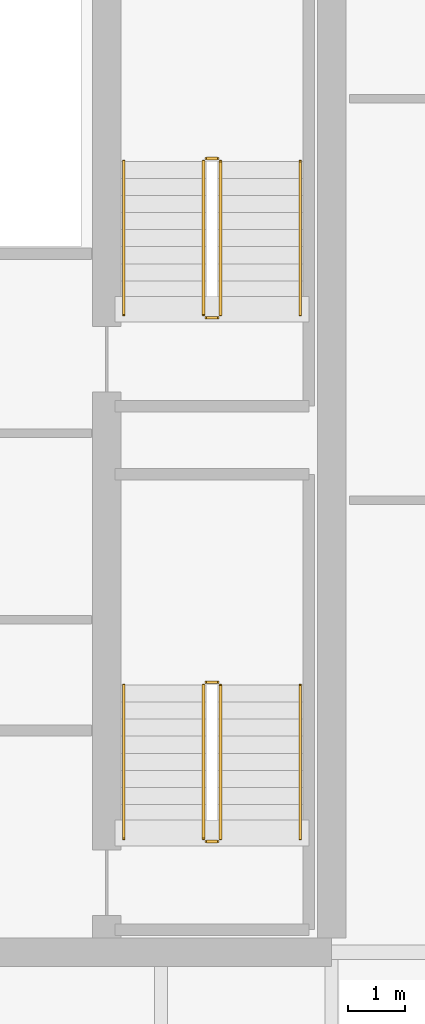
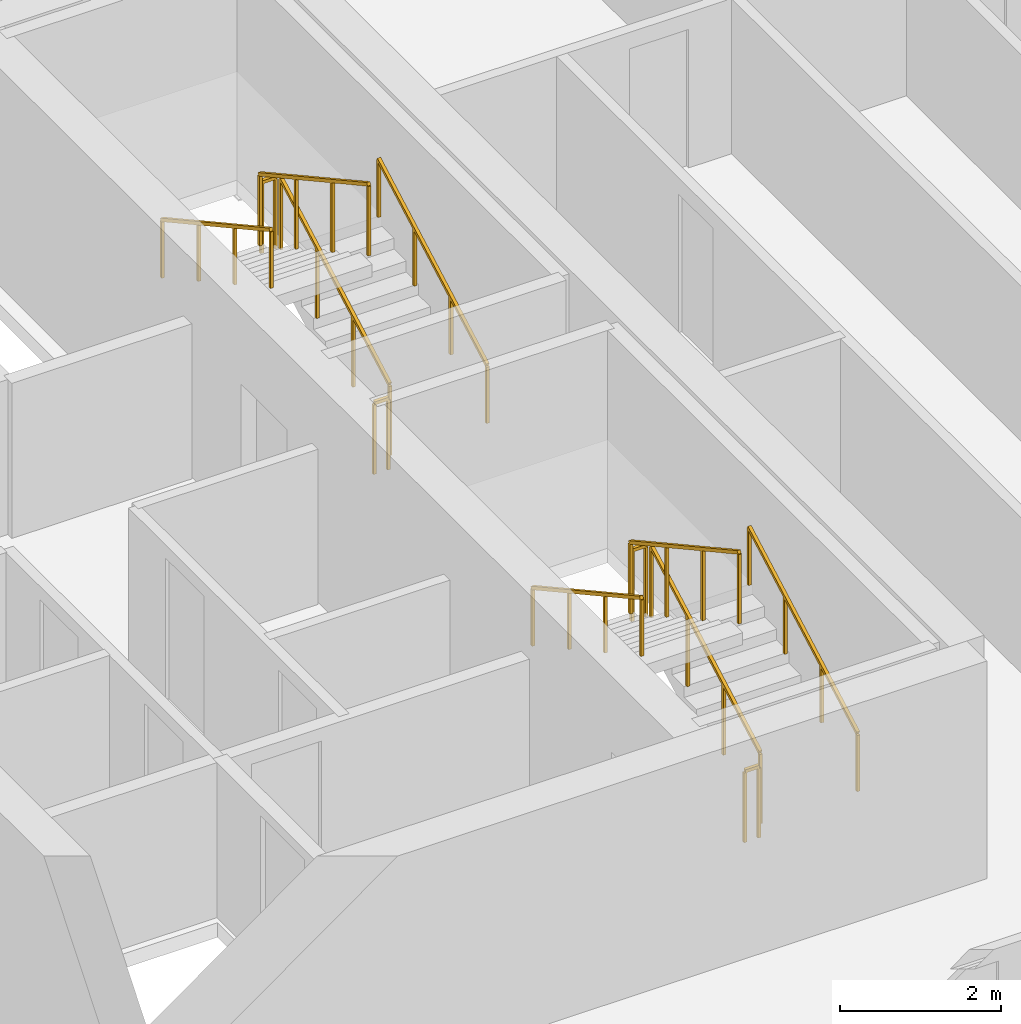
# One storey, part 22 of 23: 12 railings.
"""IFC4 building model written with IfcOpenShell, lengths in metres."""

from ifc_helpers import new_model, si_unit, direction, frame, origin, place, context, subcontext, project, spatial, rectangle, extrude, material, type_object, element, save


model = new_model("IFC4")

# Units and contexts
model_context = context("Model", 3, precision=1e-05, world=origin(), true_north=direction((0.0, 1.0)))
body_context = subcontext(model_context, "Body", "Model", "MODEL_VIEW")
ifc_project = project(units=[si_unit("LENGTHUNIT", "METRE"), si_unit("AREAUNIT", "SQUARE_METRE"), si_unit("VOLUMEUNIT", "CUBIC_METRE"), si_unit("PLANEANGLEUNIT", "RADIAN"), si_unit("MASSUNIT", "GRAM", prefix="KILO")], contexts=[model_context])

# Site, building, storey
site_placement = place(None, origin())
site = spatial("IfcSite", under=ifc_project, at=site_placement, CompositionType="ELEMENT")
building_placement = place(site_placement, origin())
building = spatial("IfcBuilding", under=site, at=building_placement, Name="Tanjung Sevakor Pilgrim Tower", CompositionType="ELEMENT")
storey_placement = place(building_placement, frame((0.0, 0.0, 98.669921875)))
storey = spatial("IfcBuildingStorey", under=building, at=storey_placement, Name="L27", CompositionType="ELEMENT", Elevation=98.669921875)

# Railings
ifc_material_1 = material(Name="Steel S355J2", Category="steel")
railing_type_1 = type_object("IfcRailingType", Name="RL-STAIR-GUARD", PredefinedType="GUARDRAIL", material=ifc_material_1)
railing_1_placement = place(storey_placement, frame((88.050048828125, 26.60009765625, 0.1650390625)))
element("IfcRailing", 1, at=railing_1_placement, inside=storey, type_object=railing_type_1, Name="L27 TS-E1 stair guard 1", PredefinedType="GUARDRAIL", context=body_context, shape_type="SweptSolid", body=[
    extrude(rectangle(XDim=0.0479, YDim=0.0479), frame((0.0, 0.0, 1.076171875), z_axis=(0.0, 0.876197507361, 0.481952205197), x_axis=(-1.0, 0.0, 0.0)), (0.0, 0.0, 1.0), 3.08154296875),
    extrude(rectangle(XDim=0.042, YDim=0.042), origin(), (0.0, 0.0, 1.0), 1.052001953125),
    extrude(rectangle(XDim=0.042, YDim=0.042), frame((0.0, 0.89990234375, 0.4951171875)), (0.0, 0.0, 1.0), 1.052001953125),
    extrude(rectangle(XDim=0.042, YDim=0.042), frame((0.0, 1.800048828125, 0.989990234375)), (0.0, 0.0, 1.0), 1.052001953125),
    extrude(rectangle(XDim=0.042, YDim=0.042), frame((0.0, 2.699951171875, 1.485107421875)), (0.0, 0.0, 1.0), 1.052001953125),
])
railing_2_placement = place(storey_placement, frame((88.0, 29.35009765625, 1.650146484375)))
element("IfcRailing", 2, at=railing_2_placement, inside=storey, type_object=railing_type_1, Name="L27 TS-E1 stair guard 2", PredefinedType="GUARDRAIL", context=body_context, shape_type="SweptSolid", body=[
    extrude(rectangle(XDim=0.0479, YDim=0.0479), frame((0.0, 0.0, 1.076171875), z_axis=(-1.0, 0.0, 0.0), x_axis=(0.0, -1.0, 0.0)), (0.0, 0.0, 1.0), 0.199951171875),
    extrude(rectangle(XDim=0.042, YDim=0.042), origin(), (0.0, 0.0, 1.0), 1.052001953125),
    extrude(rectangle(XDim=0.042, YDim=0.042), frame((-0.199951171875, 0.0, 0.0)), (0.0, 0.0, 1.0), 1.052001953125),
])
railing_3_placement = place(storey_placement, frame((87.75, 29.300048828125, 1.815185546875)))
element("IfcRailing", 3, at=railing_3_placement, inside=storey, type_object=railing_type_1, Name="L27 TS-E1 stair guard 3", PredefinedType="GUARDRAIL", context=body_context, shape_type="SweptSolid", body=[
    extrude(rectangle(XDim=0.0479, YDim=0.0479), frame((0.0, 0.0, 1.076171875), z_axis=(0.0, -0.876230963923, 0.481891375584), x_axis=(1.0, 0.0, 0.0)), (0.0, 0.0, 1.0), 3.081298828125),
    extrude(rectangle(XDim=0.042, YDim=0.042), origin(), (0.0, 0.0, 1.0), 1.052001953125),
    extrude(rectangle(XDim=0.042, YDim=0.042), frame((0.0, -0.89990234375, 0.494873046875)), (0.0, 0.0, 1.0), 1.052001953125),
    extrude(rectangle(XDim=0.042, YDim=0.042), frame((0.0, -1.800048828125, 0.989990234375)), (0.0, 0.0, 1.0), 1.052001953125),
    extrude(rectangle(XDim=0.042, YDim=0.042), frame((0.0, -2.699951171875, 1.48486328125)), (0.0, 0.0, 1.0), 1.052001953125),
])
railing_4_placement = place(storey_placement, frame((88.0, 26.550048828125, 0.0)))
element("IfcRailing", 4, at=railing_4_placement, inside=storey, type_object=railing_type_1, Name="L27 TS-E1 stair guard 4", PredefinedType="GUARDRAIL", context=body_context, shape_type="SweptSolid", body=[
    extrude(rectangle(XDim=0.0479, YDim=0.0479), frame((0.0, 0.0, 1.076171875), z_axis=(-1.0, 0.0, 0.0), x_axis=(0.0, -1.0, 0.0)), (0.0, 0.0, 1.0), 0.199951171875),
    extrude(rectangle(XDim=0.042, YDim=0.042), origin(), (0.0, 0.0, 1.0), 1.052001953125),
    extrude(rectangle(XDim=0.042, YDim=0.042), frame((-0.199951171875, 0.0, 0.0)), (0.0, 0.0, 1.0), 1.052001953125),
])
railing_5_placement = place(storey_placement, frame((88.050048828125, 35.800048828125, 0.1650390625)))
element("IfcRailing", 5, at=railing_5_placement, inside=storey, type_object=railing_type_1, Name="L27 TS-E2 stair guard 1", PredefinedType="GUARDRAIL", context=body_context, shape_type="SweptSolid", body=[
    extrude(rectangle(XDim=0.0479, YDim=0.0479), frame((0.0, 0.0, 1.076171875), z_axis=(0.0, 0.876197507361, 0.481952205197), x_axis=(-1.0, 0.0, 0.0)), (0.0, 0.0, 1.0), 3.08154296875),
    extrude(rectangle(XDim=0.042, YDim=0.042), origin(), (0.0, 0.0, 1.0), 1.052001953125),
    extrude(rectangle(XDim=0.042, YDim=0.042), frame((0.0, 0.89990234375, 0.4951171875)), (0.0, 0.0, 1.0), 1.052001953125),
    extrude(rectangle(XDim=0.042, YDim=0.042), frame((0.0, 1.800048828125, 0.989990234375)), (0.0, 0.0, 1.0), 1.052001953125),
    extrude(rectangle(XDim=0.042, YDim=0.042), frame((0.0, 2.699951171875, 1.485107421875)), (0.0, 0.0, 1.0), 1.052001953125),
])
railing_6_placement = place(storey_placement, frame((88.0, 38.550048828125, 1.650146484375)))
element("IfcRailing", 6, at=railing_6_placement, inside=storey, type_object=railing_type_1, Name="L27 TS-E2 stair guard 2", PredefinedType="GUARDRAIL", context=body_context, shape_type="SweptSolid", body=[
    extrude(rectangle(XDim=0.0479, YDim=0.0479), frame((0.0, 0.0, 1.076171875), z_axis=(-1.0, 0.0, 0.0), x_axis=(0.0, -1.0, 0.0)), (0.0, 0.0, 1.0), 0.199951171875),
    extrude(rectangle(XDim=0.042, YDim=0.042), origin(), (0.0, 0.0, 1.0), 1.052001953125),
    extrude(rectangle(XDim=0.042, YDim=0.042), frame((-0.199951171875, 0.0, 0.0)), (0.0, 0.0, 1.0), 1.052001953125),
])
railing_7_placement = place(storey_placement, frame((87.75, 38.5, 1.815185546875)))
element("IfcRailing", 7, at=railing_7_placement, inside=storey, type_object=railing_type_1, Name="L27 TS-E2 stair guard 3", PredefinedType="GUARDRAIL", context=body_context, shape_type="SweptSolid", body=[
    extrude(rectangle(XDim=0.0479, YDim=0.0479), frame((0.0, 0.0, 1.076171875), z_axis=(0.0, -0.876230963923, 0.481891375584), x_axis=(1.0, 0.0, 0.0)), (0.0, 0.0, 1.0), 3.081298828125),
    extrude(rectangle(XDim=0.042, YDim=0.042), origin(), (0.0, 0.0, 1.0), 1.052001953125),
    extrude(rectangle(XDim=0.042, YDim=0.042), frame((0.0, -0.89990234375, 0.494873046875)), (0.0, 0.0, 1.0), 1.052001953125),
    extrude(rectangle(XDim=0.042, YDim=0.042), frame((0.0, -1.800048828125, 0.989990234375)), (0.0, 0.0, 1.0), 1.052001953125),
    extrude(rectangle(XDim=0.042, YDim=0.042), frame((0.0, -2.699951171875, 1.48486328125)), (0.0, 0.0, 1.0), 1.052001953125),
])
railing_8_placement = place(storey_placement, frame((88.0, 35.75, 0.0)))
element("IfcRailing", 8, at=railing_8_placement, inside=storey, type_object=railing_type_1, Name="L27 TS-E2 stair guard 4", PredefinedType="GUARDRAIL", context=body_context, shape_type="SweptSolid", body=[
    extrude(rectangle(XDim=0.0479, YDim=0.0479), frame((0.0, 0.0, 1.076171875), z_axis=(-1.0, 0.0, 0.0), x_axis=(0.0, -1.0, 0.0)), (0.0, 0.0, 1.0), 0.199951171875),
    extrude(rectangle(XDim=0.042, YDim=0.042), origin(), (0.0, 0.0, 1.0), 1.052001953125),
    extrude(rectangle(XDim=0.042, YDim=0.042), frame((-0.199951171875, 0.0, 0.0)), (0.0, 0.0, 1.0), 1.052001953125),
])
ifc_material_2 = material(Name="Steel S355J2", Category="steel")
railing_type_2 = type_object("IfcRailingType", Name="RL-STAIR-HAND", PredefinedType="HANDRAIL", material=ifc_material_2)
railing_9_placement = place(storey_placement, frame((89.449951171875, 26.60009765625, 0.1650390625)))
element("IfcRailing", 9, at=railing_9_placement, inside=storey, type_object=railing_type_2, Name="L27 TS-E1 stair handrail 1", PredefinedType="HANDRAIL", context=body_context, shape_type="SweptSolid", body=[
    extrude(rectangle(XDim=0.0479, YDim=0.0479), frame((0.0, 0.0, 0.8759765625), z_axis=(0.0, 0.876197507361, 0.481952205197), x_axis=(-1.0, 0.0, 0.0)), (0.0, 0.0, 1.0), 3.08154296875),
    extrude(rectangle(XDim=0.042, YDim=0.042), origin(), (0.0, 0.0, 1.0), 0.851806640625),
    extrude(rectangle(XDim=0.042, YDim=0.042), frame((0.0, 0.89990234375, 0.4951171875)), (0.0, 0.0, 1.0), 0.851806640625),
    extrude(rectangle(XDim=0.042, YDim=0.042), frame((0.0, 1.800048828125, 0.989990234375)), (0.0, 0.0, 1.0), 0.851806640625),
    extrude(rectangle(XDim=0.042, YDim=0.042), frame((0.0, 2.699951171875, 1.485107421875)), (0.0, 0.0, 1.0), 0.851806640625),
])
railing_10_placement = place(storey_placement, frame((86.35009765625, 29.300048828125, 1.815185546875)))
element("IfcRailing", 10, at=railing_10_placement, inside=storey, type_object=railing_type_2, Name="L27 TS-E1 stair handrail 2", PredefinedType="HANDRAIL", context=body_context, shape_type="SweptSolid", body=[
    extrude(rectangle(XDim=0.0479, YDim=0.0479), frame((0.0, 0.0, 0.8759765625), z_axis=(0.0, -0.876230963923, 0.481891375584), x_axis=(1.0, 0.0, 0.0)), (0.0, 0.0, 1.0), 3.081298828125),
    extrude(rectangle(XDim=0.042, YDim=0.042), origin(), (0.0, 0.0, 1.0), 0.851806640625),
    extrude(rectangle(XDim=0.042, YDim=0.042), frame((0.0, -0.89990234375, 0.494873046875)), (0.0, 0.0, 1.0), 0.851806640625),
    extrude(rectangle(XDim=0.042, YDim=0.042), frame((0.0, -1.800048828125, 0.989990234375)), (0.0, 0.0, 1.0), 0.851806640625),
    extrude(rectangle(XDim=0.042, YDim=0.042), frame((0.0, -2.699951171875, 1.48486328125)), (0.0, 0.0, 1.0), 0.851806640625),
])
railing_11_placement = place(storey_placement, frame((89.449951171875, 35.800048828125, 0.1650390625)))
element("IfcRailing", 11, at=railing_11_placement, inside=storey, type_object=railing_type_2, Name="L27 TS-E2 stair handrail 1", PredefinedType="HANDRAIL", context=body_context, shape_type="SweptSolid", body=[
    extrude(rectangle(XDim=0.0479, YDim=0.0479), frame((0.0, 0.0, 0.8759765625), z_axis=(0.0, 0.876197507361, 0.481952205197), x_axis=(-1.0, 0.0, 0.0)), (0.0, 0.0, 1.0), 3.08154296875),
    extrude(rectangle(XDim=0.042, YDim=0.042), origin(), (0.0, 0.0, 1.0), 0.851806640625),
    extrude(rectangle(XDim=0.042, YDim=0.042), frame((0.0, 0.89990234375, 0.4951171875)), (0.0, 0.0, 1.0), 0.851806640625),
    extrude(rectangle(XDim=0.042, YDim=0.042), frame((0.0, 1.800048828125, 0.989990234375)), (0.0, 0.0, 1.0), 0.851806640625),
    extrude(rectangle(XDim=0.042, YDim=0.042), frame((0.0, 2.699951171875, 1.485107421875)), (0.0, 0.0, 1.0), 0.851806640625),
])
railing_12_placement = place(storey_placement, frame((86.35009765625, 38.5, 1.815185546875)))
element("IfcRailing", 12, at=railing_12_placement, inside=storey, type_object=railing_type_2, Name="L27 TS-E2 stair handrail 2", PredefinedType="HANDRAIL", context=body_context, shape_type="SweptSolid", body=[
    extrude(rectangle(XDim=0.0479, YDim=0.0479), frame((0.0, 0.0, 0.8759765625), z_axis=(0.0, -0.876230963923, 0.481891375584), x_axis=(1.0, 0.0, 0.0)), (0.0, 0.0, 1.0), 3.081298828125),
    extrude(rectangle(XDim=0.042, YDim=0.042), origin(), (0.0, 0.0, 1.0), 0.851806640625),
    extrude(rectangle(XDim=0.042, YDim=0.042), frame((0.0, -0.89990234375, 0.494873046875)), (0.0, 0.0, 1.0), 0.851806640625),
    extrude(rectangle(XDim=0.042, YDim=0.042), frame((0.0, -1.800048828125, 0.989990234375)), (0.0, 0.0, 1.0), 0.851806640625),
    extrude(rectangle(XDim=0.042, YDim=0.042), frame((0.0, -2.699951171875, 1.48486328125)), (0.0, 0.0, 1.0), 0.851806640625),
])

save(model, "model.ifc")
